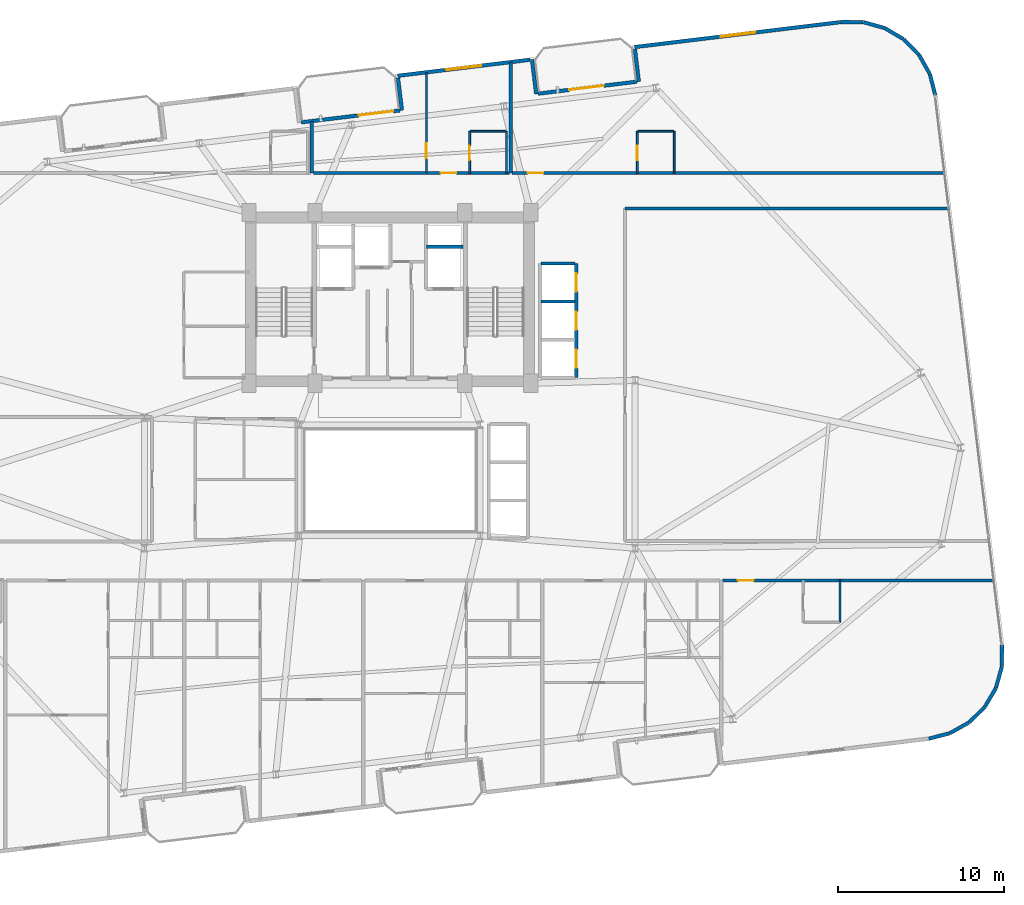
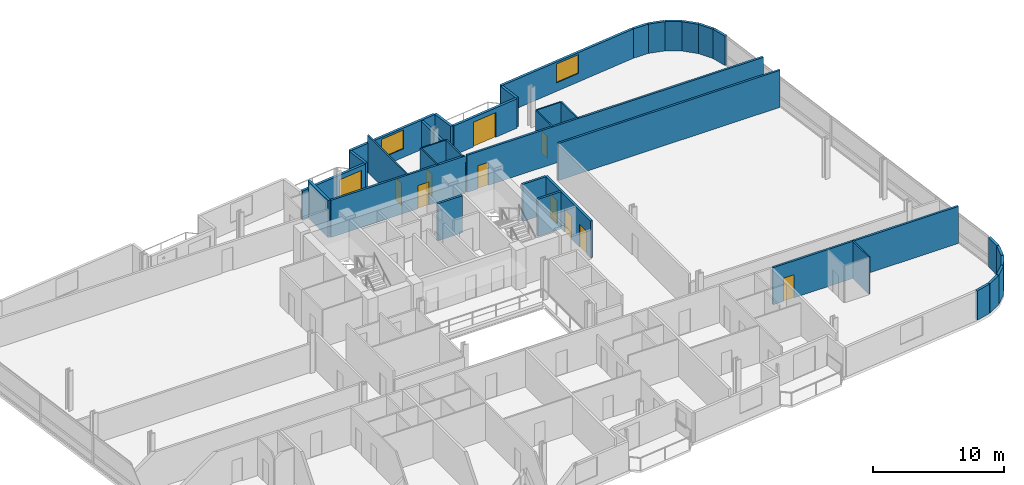
# One storey, part 18 of 23: 37 walls, 11 doors, 2 windows, 13 openings.
"""IFC4 building model written with IfcOpenShell, lengths in metres."""

from ifc_helpers import new_model, si_unit, direction, frame, frame_2d, origin, place, context, subcontext, project, spatial, rectangle, extrude, material, layer, layer_set, type_object, element, fill, save


model = new_model("IFC4")

# Units and contexts
model_context = context("Model", 3, precision=1e-05, world=origin(), true_north=direction((0.0, 1.0)))
body_context = subcontext(model_context, "Body", "Model", "MODEL_VIEW")
ifc_project = project(units=[si_unit("LENGTHUNIT", "METRE"), si_unit("AREAUNIT", "SQUARE_METRE"), si_unit("VOLUMEUNIT", "CUBIC_METRE"), si_unit("PLANEANGLEUNIT", "RADIAN"), si_unit("MASSUNIT", "GRAM", prefix="KILO")], contexts=[model_context])

# Site, building, storey
site_placement = place(None, origin())
site = spatial("IfcSite", under=ifc_project, at=site_placement, CompositionType="ELEMENT")
building_placement = place(site_placement, origin())
building = spatial("IfcBuilding", under=site, at=building_placement, Name="Varnelok Gate Tower", CompositionType="ELEMENT")
storey_placement = place(building_placement, frame((0.0, 0.0, 174.60009765625)))
storey = spatial("IfcBuildingStorey", under=building, at=storey_placement, Name="L44", CompositionType="ELEMENT", Elevation=174.60009765625)

# Wall, opening, door
ifc_material_1 = material(Name="Concrete C45/55", Category="concrete")
ifc_layer_1 = layer(ifc_material_1, 0.219970703125)
ifc_layer_set_1 = layer_set([ifc_layer_1], Name="Concrete C45/55")
wall_type_1 = type_object("IfcWallType", Name="EW-BALC-220", PredefinedType="SOLIDWALL", material=ifc_layer_set_1)
wall_1_placement = place(storey_placement, frame((33.852294921875, 44.48583984375, 0.0), z_axis=(0.0, 0.0, 1.0), x_axis=(0.992729951822, 0.120362962556, 0.0)))
wall_1 = element("IfcWall", 1, at=wall_1_placement, inside=storey, type_object=wall_type_1, Name="L44 North Terrace Envelope Wall 5", PredefinedType="SOLIDWALL", context=body_context, shape_type="SweptSolid", body=[
    extrude(rectangle(XDim=6.0, YDim=0.219970703125, at=frame_2d((3.0, 0.0))), origin(), (0.0, 0.0, 1.0), 2.72998046875),
])
opening_1_placement = place(wall_1_placement, frame((3.5, 0.0, 0.0)))
opening_1 = element("IfcOpeningElement", 2, at=opening_1_placement, cuts=wall_1, Name="Opening BD-2", PredefinedType="OPENING", context=body_context, shape_type="SweptSolid", body=[
    extrude(rectangle(XDim=2.10009765625, YDim=2.300048828125, at=frame_2d((1.050048828125, 1.14990234375))), frame((0.0, 0.119873046875, 0.0), z_axis=(0.0, -1.0, 0.0), x_axis=(1.0, 0.0, 0.0)), (0.0, 0.0, 1.0), 0.239990234375),
])
ifc_material_2 = material(Name="Anodized Aluminum Alloy 6063-T6", Category="aluminium")
door_type_1 = type_object("IfcDoorType", Name="DR-EXT-SLID2100", OperationType="SLIDING_TO_LEFT", PredefinedType="DOOR", material=ifc_material_2)
door_1_placement = place(opening_1_placement, origin())
door_1 = element("IfcDoor", 3, at=door_1_placement, inside=storey, type_object=door_type_1, Name="L44 North Balcony Glazed Door 5", OperationType="SLIDING_TO_LEFT", OverallHeight=2.300048828125, OverallWidth=2.10009765625, PredefinedType="DOOR", context=body_context, shape_type="SweptSolid", body=[
    extrude(rectangle(XDim=2.10009765625, YDim=2.300048828125, at=frame_2d((1.050048828125, 1.14990234375))), frame((0.0, 0.02490234375, 0.0), z_axis=(0.0, -1.0, 0.0), x_axis=(1.0, 0.0, 0.0)), (0.0, 0.0, 1.0), 0.050048828125),
])
fill(opening_1, door_1)

wall_2_placement = place(storey_placement, frame((48.147705078125, 46.21875, 0.0), z_axis=(0.0, 0.0, 1.0), x_axis=(0.992729951822, 0.120362962556, 0.0)))
wall_2 = element("IfcWall", 4, at=wall_2_placement, inside=storey, type_object=wall_type_1, Name="L44 North Terrace Envelope Wall 6", PredefinedType="SOLIDWALL", context=body_context, shape_type="SweptSolid", body=[
    extrude(rectangle(XDim=6.0, YDim=0.219970703125, at=frame_2d((3.0, 0.0))), origin(), (0.0, 0.0, 1.0), 2.72998046875),
])
opening_2_placement = place(wall_2_placement, frame((1.887939453125, 0.0, 0.0)))
opening_2 = element("IfcOpeningElement", 5, at=opening_2_placement, cuts=wall_2, Name="Opening BD-2", PredefinedType="OPENING", context=body_context, shape_type="SweptSolid", body=[
    extrude(rectangle(XDim=2.10009765625, YDim=2.300048828125, at=frame_2d((1.050048828125, 1.14990234375))), frame((0.0, 0.119873046875, 0.0), z_axis=(0.0, -1.0, 0.0), x_axis=(1.0, 0.0, 0.0)), (0.0, 0.0, 1.0), 0.239990234375),
])
door_2_placement = place(opening_2_placement, origin())
door_2 = element("IfcDoor", 6, at=door_2_placement, inside=storey, type_object=door_type_1, Name="L44 North Balcony Glazed Door 6", OperationType="SLIDING_TO_LEFT", OverallHeight=2.300048828125, OverallWidth=2.10009765625, PredefinedType="DOOR", context=body_context, shape_type="SweptSolid", body=[
    extrude(rectangle(XDim=2.10009765625, YDim=2.300048828125, at=frame_2d((1.050048828125, 1.14990234375))), frame((0.0, 0.02490234375, 0.0), z_axis=(0.0, -1.0, 0.0), x_axis=(1.0, 0.0, 0.0)), (0.0, 0.0, 1.0), 0.050048828125),
])
fill(opening_2, door_2)

# Walls
wall_3_placement = place(storey_placement, frame((71.71875, 7.305908203125, 0.0), z_axis=(0.0, 0.0, 1.0), x_axis=(0.968541764193, 0.248851061909, 0.0)))
element("IfcWall", 7, at=wall_3_placement, inside=storey, type_object=wall_type_1, Name="L44 Perimeter Facade Closure Wall 17", PredefinedType="SOLIDWALL", context=body_context, shape_type="SweptSolid", body=[
    extrude(rectangle(XDim=1.308837890625, YDim=0.219970703125, at=frame_2d((0.654296875, 0.0))), origin(), (0.0, 0.0, 1.0), 2.72998046875),
])
for number, where, z_axis, x_axis, name in (
    (8, (73.00830078125, 7.64404296875, 0.0), (0.0, 0.0, 1.0), (0.87105877335, 0.491178799797, 0.0), "L44 Perimeter Facade Closure Wall 18"),
    (9, (74.1591796875, 8.30029296875, 0.0), (0.0, 0.0, 1.0), (0.714295394827, 0.699844331926, 0.0), "L44 Perimeter Facade Closure Wall 19"),
    (10, (75.101318359375, 9.232177734375, 0.0), (0.0, 0.0, 1.0), (0.508798863936, 0.860885425627, 0.0), "L44 Perimeter Facade Closure Wall 20"),
    (11, (75.77001953125, 10.376220703125, 0.0), (0.0, 0.0, 1.0), (0.26859243053, 0.963253915778, 0.0), "L44 Perimeter Facade Closure Wall 21"),
):
    element("IfcWall", number, at=place(storey_placement, frame(where, z_axis=z_axis, x_axis=x_axis)), inside=storey, type_object=wall_type_1, Name=name, PredefinedType="SOLIDWALL", context=body_context, shape_type="SweptSolid", body=[
        extrude(rectangle(XDim=1.30078125, YDim=0.219970703125, at=frame_2d((0.650390625, 0.0))), origin(), (0.0, 0.0, 1.0), 2.72998046875),
    ])
wall_4_placement = place(storey_placement, frame((76.11962890625, 11.654052734375, 0.0), z_axis=(0.0, 0.0, 1.0), x_axis=(0.01032033607, 0.999946743914, 0.0)))
element("IfcWall", 12, at=wall_4_placement, inside=storey, type_object=wall_type_1, Name="L44 Perimeter Facade Closure Wall 22", PredefinedType="SOLIDWALL", context=body_context, shape_type="SweptSolid", body=[
    extrude(rectangle(XDim=1.301025390625, YDim=0.219970703125, at=frame_2d((0.650390625, 0.0))), origin(), (0.0, 0.0, 1.0), 2.72998046875),
])
wall_5_placement = place(storey_placement, frame((72.113525390625, 46.1123046875, 0.0), z_axis=(0.0, 0.0, 1.0), x_axis=(-0.248942347653, 0.968518305219, 0.0)))
element("IfcWall", 13, at=wall_5_placement, inside=storey, type_object=wall_type_1, Name="L44 Perimeter Facade Closure Wall 23", PredefinedType="SOLIDWALL", context=body_context, shape_type="SweptSolid", body=[
    extrude(rectangle(XDim=1.325927734375, YDim=0.219970703125, at=frame_2d((0.6630859375, 0.0))), origin(), (0.0, 0.0, 1.0), 2.72998046875),
])
wall_6_placement = place(storey_placement, frame((71.771240234375, 47.418212890625, 0.0), z_axis=(0.0, 0.0, 1.0), x_axis=(-0.491098509465, 0.871104043155, 0.0)))
element("IfcWall", 14, at=wall_6_placement, inside=storey, type_object=wall_type_1, Name="L44 Perimeter Facade Closure Wall 24", PredefinedType="SOLIDWALL", context=body_context, shape_type="SweptSolid", body=[
    extrude(rectangle(XDim=1.301025390625, YDim=0.219970703125, at=frame_2d((0.650390625, 0.0))), origin(), (0.0, 0.0, 1.0), 2.72998046875),
])
wall_7_placement = place(storey_placement, frame((71.114990234375, 48.5693359375, 0.0), z_axis=(0.0, 0.0, 1.0), x_axis=(-0.699844331926, 0.714295394827, 0.0)))
element("IfcWall", 15, at=wall_7_placement, inside=storey, type_object=wall_type_1, Name="L44 Perimeter Facade Closure Wall 25", PredefinedType="SOLIDWALL", context=body_context, shape_type="SweptSolid", body=[
    extrude(rectangle(XDim=1.30078125, YDim=0.219970703125, at=frame_2d((0.650390625, 0.0))), origin(), (0.0, 0.0, 1.0), 2.72998046875),
])
wall_8_placement = place(storey_placement, frame((70.18310546875, 49.51123046875, 0.0), z_axis=(0.0, 0.0, 1.0), x_axis=(-0.860933999601, 0.508716668029, 0.0)))
element("IfcWall", 16, at=wall_8_placement, inside=storey, type_object=wall_type_1, Name="L44 Perimeter Facade Closure Wall 26", PredefinedType="SOLIDWALL", context=body_context, shape_type="SweptSolid", body=[
    extrude(rectangle(XDim=1.301025390625, YDim=0.219970703125, at=frame_2d((0.650390625, 0.0))), origin(), (0.0, 0.0, 1.0), 2.72998046875),
])
wall_9_placement = place(storey_placement, frame((69.0390625, 50.179931640625, 0.0), z_axis=(0.0, 0.0, 1.0), x_axis=(-0.963205341366, 0.26876657226, 0.0)))
element("IfcWall", 17, at=wall_9_placement, inside=storey, type_object=wall_type_1, Name="L44 Perimeter Facade Closure Wall 27", PredefinedType="SOLIDWALL", context=body_context, shape_type="SweptSolid", body=[
    extrude(rectangle(XDim=1.30078125, YDim=0.219970703125, at=frame_2d((0.650390625, 0.0))), origin(), (0.0, 0.0, 1.0), 2.72998046875),
])
wall_10_placement = place(storey_placement, frame((67.760986328125, 50.52978515625, 0.0), z_axis=(0.0, 0.0, 1.0), x_axis=(-0.999947358106, 0.010260653861, 0.0)))
element("IfcWall", 18, at=wall_10_placement, inside=storey, type_object=wall_type_1, Name="L44 Perimeter Facade Closure Wall 28", PredefinedType="SOLIDWALL", context=body_context, shape_type="SweptSolid", body=[
    extrude(rectangle(XDim=1.30859375, YDim=0.219970703125, at=frame_2d((0.654296875, 0.0))), origin(), (0.0, 0.0, 1.0), 2.72998046875),
])

# Wall, opening, window
wall_11_placement = place(storey_placement, frame((66.427490234375, 50.5400390625, 0.0), z_axis=(0.0, 0.0, 1.0), x_axis=(-0.992731739233, -0.120348219431, 0.0)))
wall_11 = element("IfcWall", 19, at=wall_11_placement, inside=storey, type_object=wall_type_1, Name="L44 Perimeter Facade Closure Wall 29", PredefinedType="SOLIDWALL", context=body_context, shape_type="SweptSolid", body=[
    extrude(rectangle(XDim=12.547119140625, YDim=0.219970703125, at=frame_2d((6.2734375, 0.0))), origin(), (0.0, 0.0, 1.0), 2.72998046875),
])
opening_3_placement = place(wall_11_placement, frame((5.2236328125, 0.0, 0.800048828125)))
opening_3 = element("IfcOpeningElement", 20, at=opening_3_placement, cuts=wall_11, Name="Opening WN4", PredefinedType="OPENING", context=body_context, shape_type="SweptSolid", body=[
    extrude(rectangle(XDim=2.10009765625, YDim=1.75, at=frame_2d((1.050048828125, 0.875))), frame((0.0, 0.119873046875, 0.0), z_axis=(0.0, -1.0, 0.0), x_axis=(1.0, 0.0, 0.0)), (0.0, 0.0, 1.0), 0.239990234375),
])
ifc_material_3 = material(Name="Low-E Laminated Double Glazing IGU", Category="glass")
window_type = type_object("IfcWindowType", Name="WN-SUI-2100", PartitioningType="SINGLE_PANEL", PredefinedType="WINDOW", material=ifc_material_3)
window_1_placement = place(opening_3_placement, origin())
window_1 = element("IfcWindow", 21, at=window_1_placement, inside=storey, type_object=window_type, Name="L44 Perimeter Vision Window 29", OverallHeight=1.75, OverallWidth=2.10009765625, PartitioningType="SINGLE_PANEL", PredefinedType="WINDOW", context=body_context, shape_type="SweptSolid", body=[
    extrude(rectangle(XDim=2.10009765625, YDim=1.75, at=frame_2d((1.050048828125, 0.875))), frame((0.0, 0.030029296875, 0.0), z_axis=(0.0, -1.0, 0.0), x_axis=(1.0, 0.0, 0.0)), (0.0, 0.0, 1.0), 0.06005859375),
])
fill(opening_3, window_1)

# Walls
wall_12_placement = place(storey_placement, frame((53.986572265625, 48.906005859375, 0.0), z_axis=(0.0, 0.0, 1.0), x_axis=(0.120397815541, -0.992725725472, 0.0)))
element("IfcWall", 22, at=wall_12_placement, inside=storey, type_object=wall_type_1, Name="L44 Perimeter Facade Closure Wall 30", PredefinedType="SOLIDWALL", context=body_context, shape_type="SweptSolid", body=[
    extrude(rectangle(XDim=1.97509765625, YDim=0.219970703125, at=frame_2d((0.987548828125, 0.0))), origin(), (0.0, 0.0, 1.0), 2.72998046875),
])
wall_13_placement = place(storey_placement, frame((48.029541015625, 46.1943359375, 0.0), z_axis=(0.0, 0.0, 1.0), x_axis=(-0.120314009587, 0.992735885871, 0.0)))
element("IfcWall", 23, at=wall_13_placement, inside=storey, type_object=wall_type_1, Name="L44 Perimeter Facade Closure Wall 31", PredefinedType="SOLIDWALL", context=body_context, shape_type="SweptSolid", body=[
    extrude(rectangle(XDim=2.10009765625, YDim=0.219970703125, at=frame_2d((1.050048828125, 0.0))), origin(), (0.0, 0.0, 1.0), 2.72998046875),
])

# Wall, opening, window
wall_14_placement = place(storey_placement, frame((47.65283203125, 48.26416015625, 0.0), z_axis=(0.0, 0.0, 1.0), x_axis=(-0.992731032022, -0.120354052946, 0.0)))
wall_14 = element("IfcWall", 24, at=wall_14_placement, inside=storey, type_object=wall_type_1, Name="L44 Perimeter Facade Closure Wall 32", PredefinedType="SOLIDWALL", context=body_context, shape_type="SweptSolid", body=[
    extrude(rectangle(XDim=8.034912109375, YDim=0.219970703125, at=frame_2d((4.017578125, 0.0))), origin(), (0.0, 0.0, 1.0), 2.72998046875),
])
opening_4_placement = place(wall_14_placement, frame((2.967529296875, 0.0, 0.800048828125)))
opening_4 = element("IfcOpeningElement", 25, at=opening_4_placement, cuts=wall_14, Name="Opening WN4", PredefinedType="OPENING", context=body_context, shape_type="SweptSolid", body=[
    extrude(rectangle(XDim=2.10009765625, YDim=1.75, at=frame_2d((1.050048828125, 0.875))), frame((0.0, 0.119873046875, 0.0), z_axis=(0.0, -1.0, 0.0), x_axis=(1.0, 0.0, 0.0)), (0.0, 0.0, 1.0), 0.239990234375),
])
window_2_placement = place(opening_4_placement, origin())
window_2 = element("IfcWindow", 26, at=window_2_placement, inside=storey, type_object=window_type, Name="L44 Perimeter Vision Window 32", OverallHeight=1.75, OverallWidth=2.10009765625, PartitioningType="SINGLE_PANEL", PredefinedType="WINDOW", context=body_context, shape_type="SweptSolid", body=[
    extrude(rectangle(XDim=2.10009765625, YDim=1.75, at=frame_2d((1.050048828125, 0.875))), frame((0.0, 0.030029296875, 0.0), z_axis=(0.0, -1.0, 0.0), x_axis=(1.0, 0.0, 0.0)), (0.0, 0.0, 1.0), 0.06005859375),
])
fill(opening_4, window_2)

# Wall
wall_15_placement = place(storey_placement, frame((39.691162109375, 47.173095703125, 0.0), z_axis=(0.0, 0.0, 1.0), x_axis=(0.120397815541, -0.992725725472, 0.0)))
element("IfcWall", 27, at=wall_15_placement, inside=storey, type_object=wall_type_1, Name="L44 Perimeter Facade Closure Wall 33", PredefinedType="SOLIDWALL", context=body_context, shape_type="SweptSolid", body=[
    extrude(rectangle(XDim=1.97509765625, YDim=0.219970703125, at=frame_2d((0.987548828125, 0.0))), origin(), (0.0, 0.0, 1.0), 2.72998046875),
])

# Wall, opening, door
ifc_material_4 = material(Name="Gypsum Plasterboard Acoustic Partition", Category="gypsum")
ifc_layer_2 = layer(ifc_material_4, 0.179931640625)
ifc_layer_set_2 = layer_set([ifc_layer_2], Name="Gypsum Plasterboard Acoustic Partition")
wall_type_2 = type_object("IfcWallType", Name="PW-CORR-180", PredefinedType="PARTITIONING", material=ifc_layer_set_2)
wall_16_placement = place(storey_placement, frame((59.280029296875, 16.85009765625, 0.0), z_axis=(0.0, 0.0, 1.0), x_axis=(1.0, 0.0, 0.0)))
wall_16 = element("IfcWall", 28, at=wall_16_placement, inside=storey, type_object=wall_type_2, Name="Interior Partition", PredefinedType="PARTITIONING", context=body_context, shape_type="SweptSolid", body=[
    extrude(rectangle(XDim=16.32177734375, YDim=0.179931640625, at=frame_2d((8.160888671875, 0.0))), origin(), (0.0, 0.0, 1.0), 3.449951171875),
])
opening_5_placement = place(wall_16_placement, frame((0.916015625, 0.0, 0.0)))
opening_5 = element("IfcOpeningElement", 29, at=opening_5_placement, cuts=wall_16, Name="Opening D-HT", PredefinedType="OPENING", context=body_context, shape_type="SweptSolid", body=[
    extrude(rectangle(XDim=0.949951171875, YDim=2.14990234375, at=frame_2d((0.47509765625, 1.074951171875))), frame((0.0, 0.099853515625, 0.0), z_axis=(0.0, -1.0, 0.0), x_axis=(1.0, 0.0, 0.0)), (0.0, 0.0, 1.0), 0.199951171875),
])
ifc_material_5 = material(Name="Engineered Hardwood Timber", Category="wood")
door_type_2 = type_object("IfcDoorType", Name="DR-HTL-950", OperationType="NOTDEFINED", PredefinedType="DOOR", material=ifc_material_5)
door_3_placement = place(opening_5_placement, origin())
door_3 = element("IfcDoor", 30, at=door_3_placement, inside=storey, type_object=door_type_2, Name="L44 Guest Room 06 Entrance Door", OperationType="SINGLE_SWING_LEFT", OverallHeight=2.14990234375, OverallWidth=0.949951171875, PredefinedType="DOOR", context=body_context, shape_type="SweptSolid", body=[
    extrude(rectangle(XDim=0.949951171875, YDim=2.14990234375, at=frame_2d((0.47509765625, 1.074951171875))), frame((0.0, 0.02490234375, 0.0), z_axis=(0.0, -1.0, 0.0), x_axis=(1.0, 0.0, 0.0)), (0.0, 0.0, 1.0), 0.050048828125),
])
fill(opening_5, door_3)

wall_17_placement = place(storey_placement, frame((34.580078125, 41.429931640625, 0.0), z_axis=(0.0, 0.0, 1.0), x_axis=(1.0, 0.0, 0.0)))
wall_17 = element("IfcWall", 31, at=wall_17_placement, inside=storey, type_object=wall_type_2, Name="Interior Partition", PredefinedType="PARTITIONING", context=body_context, shape_type="SweptSolid", body=[
    extrude(rectangle(XDim=11.83984375, YDim=0.179931640625, at=frame_2d((5.919921875, 0.0))), origin(), (0.0, 0.0, 1.0), 3.449951171875),
])
opening_6_placement = place(wall_17_placement, frame((7.679931640625, 0.0, 0.0)))
opening_6 = element("IfcOpeningElement", 32, at=opening_6_placement, cuts=wall_17, Name="Opening D-HT", PredefinedType="OPENING", context=body_context, shape_type="SweptSolid", body=[
    extrude(rectangle(XDim=0.949951171875, YDim=2.14990234375, at=frame_2d((0.47509765625, 1.074951171875))), frame((0.0, 0.099853515625, 0.0), z_axis=(0.0, -1.0, 0.0), x_axis=(1.0, 0.0, 0.0)), (0.0, 0.0, 1.0), 0.199951171875),
])
door_4_placement = place(opening_6_placement, origin())
door_4 = element("IfcDoor", 33, at=door_4_placement, inside=storey, type_object=door_type_2, Name="L44 Guest Room 08 Entrance Door", OperationType="SINGLE_SWING_LEFT", OverallHeight=2.14990234375, OverallWidth=0.949951171875, PredefinedType="DOOR", context=body_context, shape_type="SweptSolid", body=[
    extrude(rectangle(XDim=0.949951171875, YDim=2.14990234375, at=frame_2d((0.47509765625, 1.074951171875))), frame((0.0, 0.02490234375, 0.0), z_axis=(0.0, -1.0, 0.0), x_axis=(1.0, 0.0, 0.0)), (0.0, 0.0, 1.0), 0.050048828125),
])
fill(opening_6, door_4)

wall_18_placement = place(storey_placement, frame((46.580078125, 41.429931640625, 0.0), z_axis=(0.0, 0.0, 1.0), x_axis=(1.0, 0.0, 0.0)))
wall_18 = element("IfcWall", 34, at=wall_18_placement, inside=storey, type_object=wall_type_2, Name="Interior Partition", PredefinedType="PARTITIONING", context=body_context, shape_type="SweptSolid", body=[
    extrude(rectangle(XDim=26.0419921875, YDim=0.179931640625, at=frame_2d((13.02099609375, 0.0))), origin(), (0.0, 0.0, 1.0), 3.449951171875),
])
opening_7_placement = place(wall_18_placement, frame((0.92626953125, 0.0, 0.0)))
opening_7 = element("IfcOpeningElement", 35, at=opening_7_placement, cuts=wall_18, Name="Opening D-HT", PredefinedType="OPENING", context=body_context, shape_type="SweptSolid", body=[
    extrude(rectangle(XDim=0.949951171875, YDim=2.14990234375, at=frame_2d((0.47509765625, 1.074951171875))), frame((0.0, 0.099853515625, 0.0), z_axis=(0.0, -1.0, 0.0), x_axis=(1.0, 0.0, 0.0)), (0.0, 0.0, 1.0), 0.199951171875),
])
door_5_placement = place(opening_7_placement, origin())
door_5 = element("IfcDoor", 36, at=door_5_placement, inside=storey, type_object=door_type_2, Name="L44 Guest Room 09 Entrance Door", OperationType="SINGLE_SWING_RIGHT", OverallHeight=2.14990234375, OverallWidth=0.949951171875, PredefinedType="DOOR", context=body_context, shape_type="SweptSolid", body=[
    extrude(rectangle(XDim=0.949951171875, YDim=2.14990234375, at=frame_2d((0.47509765625, 1.074951171875))), frame((0.0, 0.02490234375, 0.0), z_axis=(0.0, -1.0, 0.0), x_axis=(1.0, 0.0, 0.0)), (0.0, 0.0, 1.0), 0.050048828125),
])
fill(opening_7, door_5)

# Walls
wall_19_placement = place(storey_placement, frame((53.389892578125, 39.300048828125, 0.0), z_axis=(0.0, 0.0, 1.0), x_axis=(1.0, 0.0, 0.0)))
element("IfcWall", 37, at=wall_19_placement, inside=storey, type_object=wall_type_2, Name="Interior Partition", PredefinedType="PARTITIONING", context=body_context, shape_type="SweptSolid", body=[
    extrude(rectangle(XDim=19.490234375, YDim=0.179931640625, at=frame_2d((9.7451171875, 0.0))), origin(), (0.0, 0.0, 1.0), 3.449951171875),
])
ifc_layer_3 = layer(ifc_material_4, 0.114990234375)
ifc_layer_set_3 = layer_set([ifc_layer_3], Name="Gypsum Plasterboard Acoustic Partition")
wall_type_3 = type_object("IfcWallType", Name="PW-ENS-125", PredefinedType="PARTITIONING", material=ifc_layer_set_3)
wall_20_placement = place(storey_placement, frame((66.360107421875, 14.330078125, 0.0), z_axis=(0.0, 0.0, 1.0), x_axis=(0.0, 1.0, 0.0)))
element("IfcWall", 38, at=wall_20_placement, inside=storey, type_object=wall_type_3, Name="Interior Partition", PredefinedType="PARTITIONING", context=body_context, shape_type="SweptSolid", body=[
    extrude(rectangle(XDim=2.52001953125, YDim=0.114990234375, at=frame_2d((1.260009765625, 0.0))), origin(), (0.0, 0.0, 1.0), 3.449951171875),
])
wall_21_placement = place(storey_placement, frame((44.050048828125, 43.949951171875, 0.0), z_axis=(0.0, 0.0, 1.0), x_axis=(1.0, 0.0, 0.0)))
element("IfcWall", 39, at=wall_21_placement, inside=storey, type_object=wall_type_3, Name="Interior Partition", PredefinedType="PARTITIONING", context=body_context, shape_type="SweptSolid", body=[
    extrude(rectangle(XDim=2.14990234375, YDim=0.114990234375, at=frame_2d((1.074951171875, 0.0))), origin(), (0.0, 0.0, 1.0), 3.449951171875),
])

# Wall, opening, door
wall_22_placement = place(storey_placement, frame((44.010009765625, 41.429931640625, 0.0), z_axis=(0.0, 0.0, 1.0), x_axis=(0.0, 1.0, 0.0)))
wall_22 = element("IfcWall", 40, at=wall_22_placement, inside=storey, type_object=wall_type_3, Name="Interior Partition", PredefinedType="PARTITIONING", context=body_context, shape_type="SweptSolid", body=[
    extrude(rectangle(XDim=2.52001953125, YDim=0.114990234375, at=frame_2d((1.260009765625, 0.0))), origin(), (0.0, 0.0, 1.0), 3.449951171875),
])
opening_8_placement = place(wall_22_placement, frame((0.760009765625, 0.0, 0.0)))
opening_8 = element("IfcOpeningElement", 41, at=opening_8_placement, cuts=wall_22, Name="Opening D-WC", PredefinedType="OPENING", context=body_context, shape_type="SweptSolid", body=[
    extrude(rectangle(XDim=0.89990234375, YDim=2.050048828125, at=frame_2d((0.449951171875, 1.02490234375))), frame((0.0, 0.0673828125, 0.0), z_axis=(0.0, -1.0, 0.0), x_axis=(1.0, 0.0, 0.0)), (0.0, 0.0, 1.0), 0.135009765625),
])
door_type_3 = type_object("IfcDoorType", Name="DR-BATH-900", OperationType="NOTDEFINED", PredefinedType="DOOR", material=ifc_material_5)
door_6_placement = place(opening_8_placement, origin())
door_6 = element("IfcDoor", 42, at=door_6_placement, inside=storey, type_object=door_type_3, Name="L44 North En-Suite 08 Door", OperationType="SINGLE_SWING_LEFT", OverallHeight=2.050048828125, OverallWidth=0.89990234375, PredefinedType="DOOR", context=body_context, shape_type="SweptSolid", body=[
    extrude(rectangle(XDim=0.89990234375, YDim=2.050048828125, at=frame_2d((0.449951171875, 1.02490234375))), frame((0.0, 0.02490234375, 0.0), z_axis=(0.0, -1.0, 0.0), x_axis=(1.0, 0.0, 0.0)), (0.0, 0.0, 1.0), 0.050048828125),
])
fill(opening_8, door_6)

# Walls
wall_23_placement = place(storey_placement, frame((46.239990234375, 41.429931640625, 0.0), z_axis=(0.0, 0.0, 1.0), x_axis=(0.0, 1.0, 0.0)))
element("IfcWall", 43, at=wall_23_placement, inside=storey, type_object=wall_type_3, Name="Interior Partition", PredefinedType="PARTITIONING", context=body_context, shape_type="SweptSolid", body=[
    extrude(rectangle(XDim=2.52001953125, YDim=0.114990234375, at=frame_2d((1.260009765625, 0.0))), origin(), (0.0, 0.0, 1.0), 3.449951171875),
])
wall_24_placement = place(storey_placement, frame((54.169921875, 43.949951171875, 0.0), z_axis=(0.0, 0.0, 1.0), x_axis=(1.0, 0.0, 0.0)))
element("IfcWall", 44, at=wall_24_placement, inside=storey, type_object=wall_type_3, Name="Interior Partition", PredefinedType="PARTITIONING", context=body_context, shape_type="SweptSolid", body=[
    extrude(rectangle(XDim=2.150146484375, YDim=0.114990234375, at=frame_2d((1.0751953125, 0.0))), origin(), (0.0, 0.0, 1.0), 3.449951171875),
])

# Wall, opening, door
wall_25_placement = place(storey_placement, frame((54.1298828125, 41.429931640625, 0.0), z_axis=(0.0, 0.0, 1.0), x_axis=(0.0, 1.0, 0.0)))
wall_25 = element("IfcWall", 45, at=wall_25_placement, inside=storey, type_object=wall_type_3, Name="Interior Partition", PredefinedType="PARTITIONING", context=body_context, shape_type="SweptSolid", body=[
    extrude(rectangle(XDim=2.52001953125, YDim=0.114990234375, at=frame_2d((1.260009765625, 0.0))), origin(), (0.0, 0.0, 1.0), 3.449951171875),
])
opening_9_placement = place(wall_25_placement, frame((0.760009765625, 0.0, 0.0)))
opening_9 = element("IfcOpeningElement", 46, at=opening_9_placement, cuts=wall_25, Name="Opening D-WC", PredefinedType="OPENING", context=body_context, shape_type="SweptSolid", body=[
    extrude(rectangle(XDim=0.89990234375, YDim=2.050048828125, at=frame_2d((0.449951171875, 1.02490234375))), frame((0.0, 0.0673828125, 0.0), z_axis=(0.0, -1.0, 0.0), x_axis=(1.0, 0.0, 0.0)), (0.0, 0.0, 1.0), 0.135009765625),
])
door_7_placement = place(opening_9_placement, origin())
door_7 = element("IfcDoor", 47, at=door_7_placement, inside=storey, type_object=door_type_3, Name="L44 North En-Suite 09 Door", OperationType="SINGLE_SWING_LEFT", OverallHeight=2.050048828125, OverallWidth=0.89990234375, PredefinedType="DOOR", context=body_context, shape_type="SweptSolid", body=[
    extrude(rectangle(XDim=0.89990234375, YDim=2.050048828125, at=frame_2d((0.449951171875, 1.02490234375))), frame((0.0, 0.02490234375, 0.0), z_axis=(0.0, -1.0, 0.0), x_axis=(1.0, 0.0, 0.0)), (0.0, 0.0, 1.0), 0.050048828125),
])
fill(opening_9, door_7)

# Wall
wall_26_placement = place(storey_placement, frame((56.360107421875, 41.429931640625, 0.0), z_axis=(0.0, 0.0, 1.0), x_axis=(0.0, 1.0, 0.0)))
element("IfcWall", 48, at=wall_26_placement, inside=storey, type_object=wall_type_3, Name="Interior Partition", PredefinedType="PARTITIONING", context=body_context, shape_type="SweptSolid", body=[
    extrude(rectangle(XDim=2.52001953125, YDim=0.114990234375, at=frame_2d((1.260009765625, 0.0))), origin(), (0.0, 0.0, 1.0), 3.449951171875),
])

# Wall, opening, door
ifc_layer_4 = layer(ifc_material_4, 0.125)
ifc_layer_set_4 = layer_set([ifc_layer_4], Name="Gypsum Plasterboard Acoustic Partition")
wall_type_4 = type_object("IfcWallType", Name="PW-PART-125", PredefinedType="PARTITIONING", material=ifc_layer_set_4)
wall_27_placement = place(storey_placement, frame((41.39990234375, 41.429931640625, 0.0), z_axis=(0.0, 0.0, 1.0), x_axis=(0.0, 1.0, 0.0)))
wall_27 = element("IfcWall", 49, at=wall_27_placement, inside=storey, type_object=wall_type_4, Name="Interior Partition", PredefinedType="PARTITIONING", context=body_context, shape_type="SweptSolid", body=[
    extrude(rectangle(XDim=6.05615234375, YDim=0.125, at=frame_2d((3.028076171875, 0.0))), origin(), (0.0, 0.0, 1.0), 3.449951171875),
])
opening_10_placement = place(wall_27_placement, frame((0.8876953125, 0.0, 0.0)))
opening_10 = element("IfcOpeningElement", 50, at=opening_10_placement, cuts=wall_27, Name="Opening D-I3", PredefinedType="OPENING", context=body_context, shape_type="SweptSolid", body=[
    extrude(rectangle(XDim=0.919921875, YDim=2.050048828125, at=frame_2d((0.4599609375, 1.02490234375))), frame((0.0, 0.072509765625, 0.0), z_axis=(0.0, -1.0, 0.0), x_axis=(1.0, 0.0, 0.0)), (0.0, 0.0, 1.0), 0.14501953125),
])
door_type_4 = type_object("IfcDoorType", Name="DR-INT-920", OperationType="NOTDEFINED", PredefinedType="DOOR", material=ifc_material_5)
door_8_placement = place(opening_10_placement, origin())
door_8 = element("IfcDoor", 51, at=door_8_placement, inside=storey, type_object=door_type_4, Name="L44 Suite Bedroom Door 8", OperationType="SINGLE_SWING_LEFT", OverallHeight=2.050048828125, OverallWidth=0.919921875, PredefinedType="DOOR", context=body_context, shape_type="SweptSolid", body=[
    extrude(rectangle(XDim=0.919921875, YDim=2.050048828125, at=frame_2d((0.4599609375, 1.02490234375))), frame((0.0, 0.02490234375, 0.0), z_axis=(0.0, -1.0, 0.0), x_axis=(1.0, 0.0, 0.0)), (0.0, 0.0, 1.0), 0.050048828125),
])
fill(opening_10, door_8)

# Walls
ifc_layer_5 = layer(ifc_material_4, 0.205078125)
ifc_layer_set_5 = layer_set([ifc_layer_5], Name="Gypsum Plasterboard Acoustic Partition")
wall_type_5 = type_object("IfcWallType", Name="PW-PARTY-200", PredefinedType="PARTITIONING", material=ifc_layer_set_5)
wall_28_placement = place(storey_placement, frame((34.5, 41.429931640625, 0.0), z_axis=(0.0, 0.0, 1.0), x_axis=(0.0, 1.0, 0.0)))
element("IfcWall", 52, at=wall_28_placement, inside=storey, type_object=wall_type_5, Name="L44 North Party Wall 1", PredefinedType="PARTITIONING", context=body_context, shape_type="SweptSolid", body=[
    extrude(rectangle(XDim=3.104248046875, YDim=0.205078125, at=frame_2d((1.55224609375, 0.0))), origin(), (0.0, 0.0, 1.0), 3.449951171875),
])
wall_29_placement = place(storey_placement, frame((46.5, 41.429931640625, 0.0), z_axis=(0.0, 0.0, 1.0), x_axis=(0.0, 1.0, 0.0)))
element("IfcWall", 53, at=wall_29_placement, inside=storey, type_object=wall_type_5, Name="L44 North Party Wall 2", PredefinedType="PARTITIONING", context=body_context, shape_type="SweptSolid", body=[
    extrude(rectangle(XDim=6.67431640625, YDim=0.205078125, at=frame_2d((3.337158203125, 0.0))), origin(), (0.0, 0.0, 1.0), 2.661865234375),
])
ifc_material_6 = material(Name="Concrete C35/45", Category="concrete")
ifc_layer_6 = layer(ifc_material_6, 0.199951171875)
ifc_layer_set_6 = layer_set([ifc_layer_6], Name="Concrete C35/45")
wall_type_6 = type_object("IfcWallType", Name="PW-SHAFT-200", PredefinedType="PARTITIONING", material=ifc_layer_set_6)
wall_30_placement = place(storey_placement, frame((41.419921875, 36.97998046875, 0.0), z_axis=(0.0, 0.0, 1.0), x_axis=(1.0, 0.0, 0.0)))
element("IfcWall", 54, at=wall_30_placement, inside=storey, type_object=wall_type_6, Name="L44 FF2 Shaft North Wall", PredefinedType="PARTITIONING", context=body_context, shape_type="SweptSolid", body=[
    extrude(rectangle(XDim=2.18017578125, YDim=0.199951171875, at=frame_2d((1.090087890625, 0.0))), origin(), (0.0, 0.0, 1.0), 3.449951171875),
])
for number, where, z_axis, x_axis, name in (
    (55, (48.320068359375, 33.675048828125, 0.0), (0.0, 0.0, 1.0), (1.0, 0.0, 0.0), "L44 PM2 Divider"),
    (56, (48.320068359375, 35.969970703125, 0.0), (0.0, 0.0, 1.0), (1.0, 0.0, 0.0), "L44 PM Bank North Wall"),
):
    element("IfcWall", number, at=place(storey_placement, frame(where, z_axis=z_axis, x_axis=x_axis)), inside=storey, type_object=wall_type_6, Name=name, PredefinedType="PARTITIONING", context=body_context, shape_type="SweptSolid", body=[
        extrude(rectangle(XDim=2.059814453125, YDim=0.199951171875, at=frame_2d((1.02978515625, 0.0))), origin(), (0.0, 0.0, 1.0), 3.449951171875),
    ])

# Wall, openings, doors
wall_31_placement = place(storey_placement, frame((50.43994140625, 29.080078125, 0.0), z_axis=(0.0, 0.0, 1.0), x_axis=(0.0, 1.0, 0.0)))
wall_31 = element("IfcWall", 57, at=wall_31_placement, inside=storey, type_object=wall_type_6, Name="L44 PM Bank Front Wall", PredefinedType="PARTITIONING", context=body_context, shape_type="SweptSolid", body=[
    extrude(rectangle(XDim=6.889892578125, YDim=0.199951171875, at=frame_2d((3.44482421875, 0.0))), origin(), (0.0, 0.0, 1.0), 3.449951171875),
])
opening_11_placement = place(wall_31_placement, frame((0.590087890625, 0.0, 0.0)))
opening_11 = element("IfcOpeningElement", 58, at=opening_11_placement, cuts=wall_31, Name="Opening LD-PM1", PredefinedType="OPENING", context=body_context, shape_type="SweptSolid", body=[
    extrude(rectangle(XDim=1.10009765625, YDim=2.14990234375, at=frame_2d((0.550048828125, 1.074951171875))), frame((0.0, 0.10986328125, 0.0), z_axis=(0.0, -1.0, 0.0), x_axis=(1.0, 0.0, 0.0)), (0.0, 0.0, 1.0), 0.219970703125),
])
opening_12_placement = place(wall_31_placement, frame((2.889892578125, 0.0, 0.0)))
opening_12 = element("IfcOpeningElement", 59, at=opening_12_placement, cuts=wall_31, Name="Opening LD-PM2", PredefinedType="OPENING", context=body_context, shape_type="SweptSolid", body=[
    extrude(rectangle(XDim=1.10009765625, YDim=2.14990234375, at=frame_2d((0.550048828125, 1.074951171875))), frame((0.0, 0.10986328125, 0.0), z_axis=(0.0, -1.0, 0.0), x_axis=(1.0, 0.0, 0.0)), (0.0, 0.0, 1.0), 0.219970703125),
])
opening_13_placement = place(wall_31_placement, frame((5.18994140625, 0.0, 0.0)))
opening_13 = element("IfcOpeningElement", 60, at=opening_13_placement, cuts=wall_31, Name="Opening LD-PM3", PredefinedType="OPENING", context=body_context, shape_type="SweptSolid", body=[
    extrude(rectangle(XDim=1.10009765625, YDim=2.14990234375, at=frame_2d((0.550048828125, 1.074951171875))), frame((0.0, 0.10986328125, 0.0), z_axis=(0.0, -1.0, 0.0), x_axis=(1.0, 0.0, 0.0)), (0.0, 0.0, 1.0), 0.219970703125),
])
ifc_material_7 = material(Name="Galvanized Steel Grade S350GD", Category="steel")
door_type_5 = type_object("IfcDoorType", Name="DR-LIFT-PAX1100", OperationType="SLIDING_TO_LEFT", PredefinedType="DOOR", material=ifc_material_7)
door_9_placement = place(opening_11_placement, origin())
door_9 = element("IfcDoor", 61, at=door_9_placement, inside=storey, type_object=door_type_5, Name="L44 Passenger Lift Landing Door LD-PM1", OperationType="SLIDING_TO_LEFT", OverallHeight=2.14990234375, OverallWidth=1.10009765625, PredefinedType="DOOR", context=body_context, shape_type="SweptSolid", body=[
    extrude(rectangle(XDim=1.10009765625, YDim=2.14990234375, at=frame_2d((0.550048828125, 1.074951171875))), frame((0.0, 0.02490234375, 0.0), z_axis=(0.0, -1.0, 0.0), x_axis=(1.0, 0.0, 0.0)), (0.0, 0.0, 1.0), 0.050048828125),
])
fill(opening_11, door_9)
door_10_placement = place(opening_12_placement, origin())
door_10 = element("IfcDoor", 62, at=door_10_placement, inside=storey, type_object=door_type_5, Name="L44 Passenger Lift Landing Door LD-PM2", OperationType="SLIDING_TO_LEFT", OverallHeight=2.14990234375, OverallWidth=1.10009765625, PredefinedType="DOOR", context=body_context, shape_type="SweptSolid", body=[
    extrude(rectangle(XDim=1.10009765625, YDim=2.14990234375, at=frame_2d((0.550048828125, 1.074951171875))), frame((0.0, 0.02490234375, 0.0), z_axis=(0.0, -1.0, 0.0), x_axis=(1.0, 0.0, 0.0)), (0.0, 0.0, 1.0), 0.050048828125),
])
fill(opening_12, door_10)
door_11_placement = place(opening_13_placement, origin())
door_11 = element("IfcDoor", 63, at=door_11_placement, inside=storey, type_object=door_type_5, Name="L44 Passenger Lift Landing Door LD-PM3", OperationType="SLIDING_TO_LEFT", OverallHeight=2.14990234375, OverallWidth=1.10009765625, PredefinedType="DOOR", context=body_context, shape_type="SweptSolid", body=[
    extrude(rectangle(XDim=1.10009765625, YDim=2.14990234375, at=frame_2d((0.550048828125, 1.074951171875))), frame((0.0, 0.02490234375, 0.0), z_axis=(0.0, -1.0, 0.0), x_axis=(1.0, 0.0, 0.0)), (0.0, 0.0, 1.0), 0.050048828125),
])
fill(opening_13, door_11)

save(model, "model.ifc")
